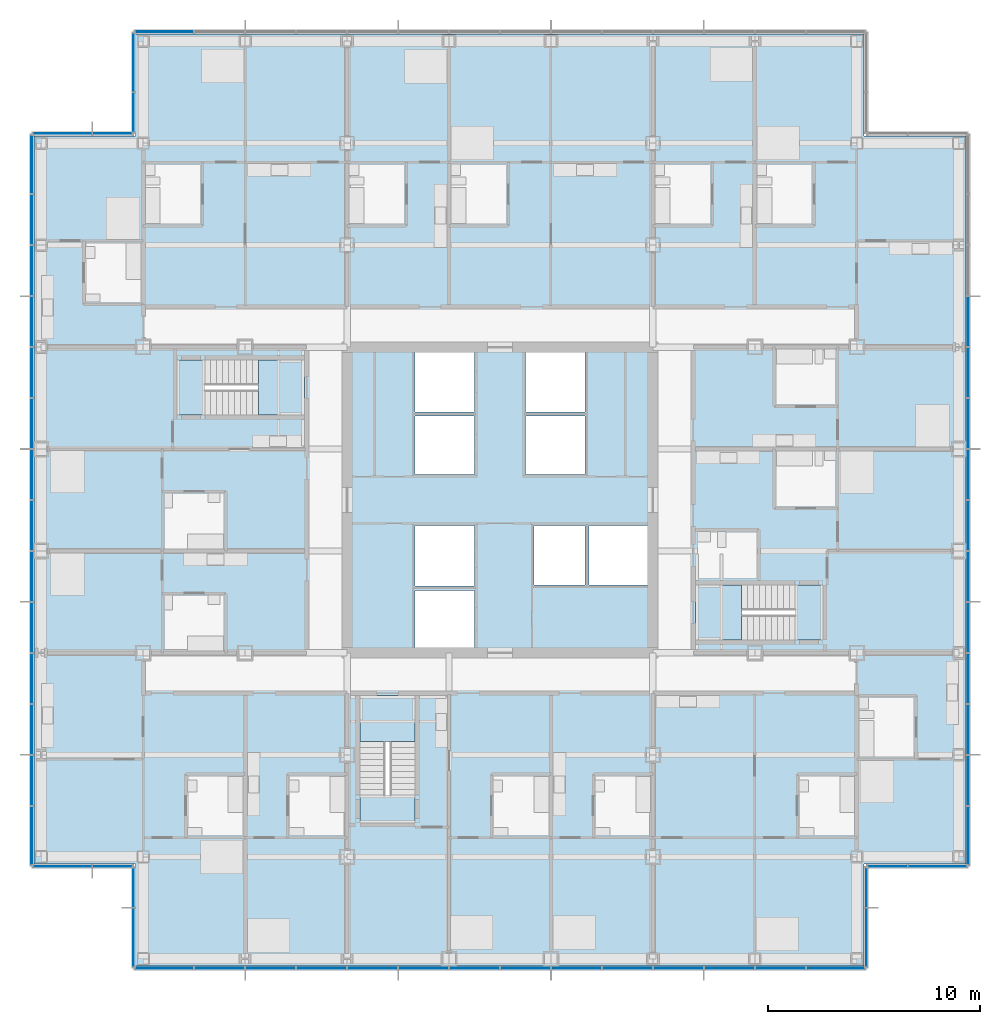
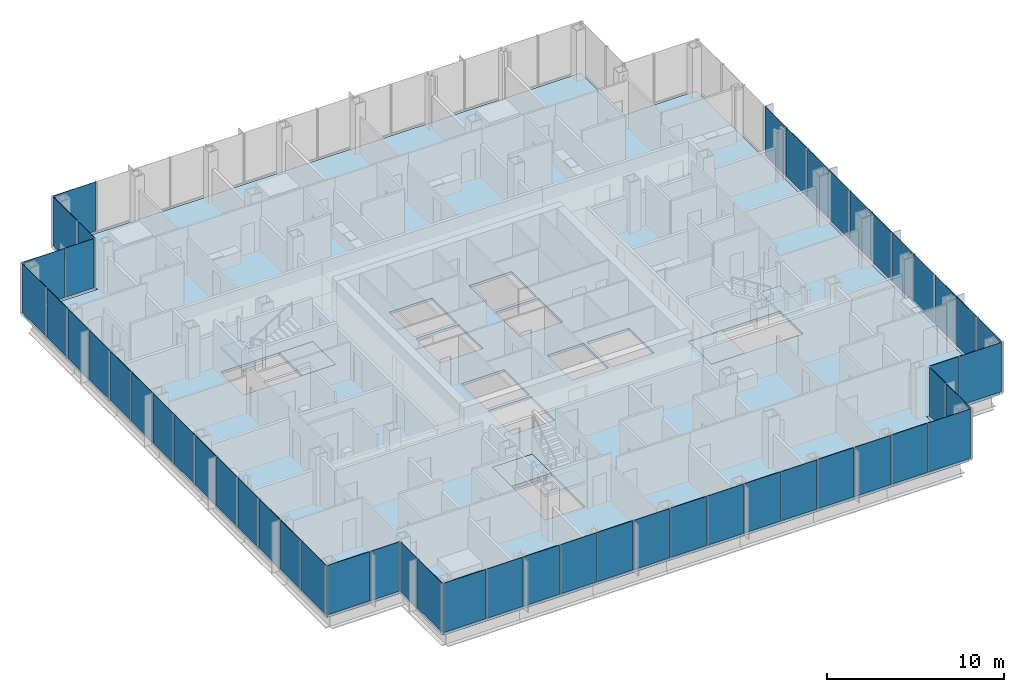
# One storey, part 12 of 21: 52 plates, 7 slabs, 13 elements without a shape of their own.
"""IFC4 building model written with IfcOpenShell, lengths in metres."""

import ifcopenshell
import ifcopenshell.guid

model = None  # the IFC model being written
_history = None  # IfcOwnerHistory: only IFC2X3 demands one
_inside = {}  # id of a spatial element -> (the spatial element, [elements in it])
_under = {}  # id of a project, library or spatial element -> (it, [spatial elements below it])
_declared = {}  # id of a project -> (the project, [libraries it declares])
_typed = {}  # id of a type object -> (the type object, [elements of that type])
_made_of = {}  # id of a material, layer set ... -> (it, [elements and type objects made of it])


def new_model(schema):
    """Start an empty IFC model of exactly this schema.

    Asked for "IFC4X3", IfcOpenShell would pick the latest addendum, in which some entities
    have other attributes; the version numbers below select the first issue.
    IFC2X3 requires an IfcOwnerHistory on every rooted entity: one is made here for all.
    """
    global model, _history
    if schema == "IFC4X3":
        model = ifcopenshell.file(schema_version=(4, 3, 0, 0))
    else:
        model = ifcopenshell.file(schema=schema)
    _inside.clear()
    _under.clear()
    _declared.clear()
    _typed.clear()
    _made_of.clear()
    _history = None
    if model.schema == "IFC2X3":
        org = make("IfcOrganization", Name="unknown")
        user = make(
            "IfcPersonAndOrganization",
            ThePerson=make("IfcPerson", FamilyName="unknown"),
            TheOrganization=org,
        )
        app = make(
            "IfcApplication",
            ApplicationDeveloper=org,
            Version="unknown",
            ApplicationFullName="unknown",
            ApplicationIdentifier="unknown",
        )
        _history = make(
            "IfcOwnerHistory",
            OwningUser=user,
            OwningApplication=app,
            ChangeAction="ADDED",
            CreationDate=0,
        )
    return model


def make(cls, **values):
    """One entity of the class cls with the attributes given. An attribute that is None is left unset."""
    return model.create_entity(
        cls, **{name: value for name, value in values.items() if value is not None}
    )


def rooted(cls, **values):
    """An entity with a GlobalId (a new one), such as an element, a storey or a relation."""
    return make(cls, GlobalId=ifcopenshell.guid.new(), OwnerHistory=_history, **values)


def si_unit(unit_type, name, prefix=None):
    """IfcSIUnit, for example si_unit("LENGTHUNIT", "METRE", prefix="MILLI")."""
    return make("IfcSIUnit", UnitType=unit_type, Prefix=prefix, Name=name)


def assignment(units):
    """IfcUnitAssignment: the units of a project."""
    return None if units is None else make("IfcUnitAssignment", Units=units)


def point(xyz):
    """IfcCartesianPoint."""
    return None if xyz is None else make("IfcCartesianPoint", Coordinates=xyz)


def direction(xyz):
    """IfcDirection."""
    return None if xyz is None else make("IfcDirection", DirectionRatios=xyz)


def frame(location, z_axis=None, x_axis=None):
    """IfcAxis2Placement3D, a coordinate frame: its origin and axes. An axis left out is left unset."""
    return make(
        "IfcAxis2Placement3D",
        Location=point(location),
        Axis=direction(z_axis),
        RefDirection=direction(x_axis),
    )


def frame_2d(location, x_axis=None):
    """IfcAxis2Placement2D, a coordinate frame in the plane: its origin and x axis."""
    return make(
        "IfcAxis2Placement2D", Location=point(location), RefDirection=direction(x_axis)
    )


def origin():
    """The frame at (0, 0, 0) with its axes left unset."""
    return frame((0.0, 0.0, 0.0))


def origin_2d():
    """The frame at (0, 0) in the plane with its x axis left unset."""
    return frame_2d((0.0, 0.0))


def place(relative_to, where):
    """IfcLocalPlacement: puts the frame where relative to a parent placement (None: the world)."""
    return make(
        "IfcLocalPlacement", PlacementRelTo=relative_to, RelativePlacement=where
    )


def context(
    kind, dimensions, precision=None, world=None, true_north=None, identifier=None
):
    """IfcGeometricRepresentationContext, for example the 3D "Model" context."""
    return make(
        "IfcGeometricRepresentationContext",
        ContextIdentifier=identifier,
        ContextType=kind,
        CoordinateSpaceDimension=dimensions,
        Precision=precision,
        WorldCoordinateSystem=world,
        TrueNorth=true_north,
    )


def subcontext(parent, identifier, kind, view, scale=None):
    """IfcGeometricRepresentationSubContext, for example "Body" below "Model"."""
    return make(
        "IfcGeometricRepresentationSubContext",
        ContextIdentifier=identifier,
        ContextType=kind,
        ParentContext=parent,
        TargetScale=scale,
        TargetView=view,
    )


def project(units=None, contexts=None):
    """IfcProject with its units and contexts."""
    return rooted(
        "IfcProject",
        Name="project",
        RepresentationContexts=contexts,
        UnitsInContext=assignment(units),
    )


def spatial(cls, under=None, at=None, **own):
    """A site, building, storey or space (cls), placed at a placement, below another one or the project."""
    s = rooted(cls, ObjectPlacement=at, **own)
    if under is not None:
        _under.setdefault(under.id(), (under, []))[1].append(s)
    return s


def polyline(points):
    """IfcPolyline through the points."""
    return make("IfcPolyline", Points=[point(p) for p in points])


def profile(cls, at=None, kind="AREA", **sizes):
    """A parametric profile (cls). Its sizes go by their IFC names, for example OverallWidth=200.0."""
    return make(cls, ProfileType=kind, Position=at, **sizes)


def rectangle(**sizes):
    """IfcRectangleProfileDef."""
    return profile("IfcRectangleProfileDef", **sizes)


def outline(outer, holes=None, kind="AREA"):
    """IfcArbitraryClosedProfileDef: a profile drawn as a closed curve; with holes, ...WithVoids."""
    if holes is None:
        return make("IfcArbitraryClosedProfileDef", ProfileType=kind, OuterCurve=outer)
    return make(
        "IfcArbitraryProfileDefWithVoids",
        ProfileType=kind,
        OuterCurve=outer,
        InnerCurves=holes,
    )


def extrude(swept, where, along, depth):
    """IfcExtrudedAreaSolid: the profile swept, set in the frame where, extruded along a direction by depth."""
    return make(
        "IfcExtrudedAreaSolid",
        SweptArea=swept,
        Position=where,
        ExtrudedDirection=direction(along),
        Depth=depth,
    )


def shape(context_of_items, identifier, shape_type, items):
    """IfcShapeRepresentation: the items that make up one representation, for example the "Body"."""
    return make(
        "IfcShapeRepresentation",
        ContextOfItems=context_of_items,
        RepresentationIdentifier=identifier,
        RepresentationType=shape_type,
        Items=items,
    )


def material(Name=None, Category=None):
    """IfcMaterial."""
    return make("IfcMaterial", Name=Name, Category=Category)


def layer(
    of_material, thickness, ventilated=None, Name=None, Category=None, Priority=None
):
    """IfcMaterialLayer: one layer of a wall or slab, of a material (None: an air gap)."""
    return make(
        "IfcMaterialLayer",
        Material=of_material,
        LayerThickness=thickness,
        IsVentilated=ventilated,
        Name=Name,
        Category=Category,
        Priority=Priority,
    )


def layer_set(layers, Name=None):
    """IfcMaterialLayerSet."""
    return make("IfcMaterialLayerSet", MaterialLayers=layers, LayerSetName=Name)


def made_of(thing, what):
    """Note that an element or type object is made of a material, layer set ...; save() writes the relation."""
    if what is not None:
        _made_of.setdefault(what.id(), (what, []))[1].append(thing)
    return thing


def type_object(cls, material=None, **own):
    """A type object (cls), such as IfcWallType, which elements share."""
    return made_of(rooted(cls, **own), material)


def element(
    cls,
    number,
    at=None,
    inside=None,
    cuts=None,
    type_object=None,
    material=None,
    context=None,
    identifier="Body",
    shape_type=None,
    held_by="IfcProductDefinitionShape",
    body=None,
    shapes=None,
    **own,
):
    """One element of the class cls, such as IfcWall. Its Tag is "e" and its number.

    at: its placement. inside: the storey or other place that contains it. cuts: it is an
    opening in that element (IfcRelVoidsElement). A single representation is given by context,
    identifier, shape_type and body (its items); several are given by shapes. held_by: the class
    of the entity that holds the representations. save() writes the other relations.
    """
    e = rooted(cls, Tag="e%d" % number, ObjectPlacement=at, **own)
    if body is not None:
        shapes = [shape(context, identifier, shape_type, body)]
    if shapes is not None:
        e.Representation = make(held_by, Representations=shapes)
    if inside is not None:
        _inside.setdefault(inside.id(), (inside, []))[1].append(e)
    if cuts is not None:
        rooted(
            "IfcRelVoidsElement", RelatingBuildingElement=cuts, RelatedOpeningElement=e
        )
    if type_object is not None:
        _typed.setdefault(type_object.id(), (type_object, []))[1].append(e)
    return made_of(e, material)


def aggregate(whole, parts):
    """IfcRelAggregates: a whole, such as a stair, and the parts it consists of."""
    return rooted("IfcRelAggregates", RelatingObject=whole, RelatedObjects=parts)


def save(model, path):
    """Write the relations noted so far, then the file.

    IfcRelAggregates (storeys below a building ...), IfcRelContainedInSpatialStructure (elements
    in a storey), IfcRelDefinesByType, IfcRelAssociatesMaterial and IfcRelDeclares: one each for
    every whole, place, type object, material and project.
    """
    for whole, parts in _under.values():
        aggregate(whole, parts)
    for where, things in _inside.values():
        rooted(
            "IfcRelContainedInSpatialStructure",
            RelatedElements=things,
            RelatingStructure=where,
        )
    for kind, things in _typed.values():
        rooted("IfcRelDefinesByType", RelatedObjects=things, RelatingType=kind)
    for what, things in _made_of.values():
        rooted("IfcRelAssociatesMaterial", RelatedObjects=things, RelatingMaterial=what)
    for by, libraries in _declared.values():
        rooted("IfcRelDeclares", RelatingContext=by, RelatedDefinitions=libraries)
    model.write(path)


model = new_model("IFC4")

# Units and contexts
model_context = context("Model", 3, precision=1e-05, world=origin(), true_north=direction((0.0, 1.0)))
body_context = subcontext(model_context, "Body", "Model", "MODEL_VIEW")
ifc_project = project(units=[si_unit("LENGTHUNIT", "METRE"), si_unit("AREAUNIT", "SQUARE_METRE"), si_unit("VOLUMEUNIT", "CUBIC_METRE"), si_unit("PLANEANGLEUNIT", "RADIAN"), si_unit("MASSUNIT", "GRAM", prefix="KILO")], contexts=[model_context])

# Site, building, storey
site_placement = place(None, origin())
site = spatial("IfcSite", under=ifc_project, at=site_placement, CompositionType="ELEMENT")
building_placement = place(site_placement, origin())
building = spatial("IfcBuilding", under=site, at=building_placement, Name="Kvirike Care Tower", CompositionType="ELEMENT")
storey_placement = place(building_placement, frame((0.0, 0.0, 34.0)))
storey = spatial("IfcBuildingStorey", under=building, at=storey_placement, Name="L08", CompositionType="ELEMENT", Elevation=34.0)

# Slab
ifc_material_1 = material(Name="Concrete C35/45", Category="concrete")
ifc_layer_1 = layer(ifc_material_1, 0.169921875)
ifc_layer_set_1 = layer_set([ifc_layer_1], Name="FLOOR SLAB 170")
slab_type_1 = type_object("IfcSlabType", Name="FLOOR SLAB 170", PredefinedType="FLOOR", material=ifc_layer_set_1)
slab_1_placement = place(storey_placement, frame((0.0, 0.0, -0.169921875)))
element("IfcSlab", 1, at=slab_1_placement, inside=storey, type_object=slab_type_1, Name="Floor slab L08", PredefinedType="FLOOR", context=body_context, shape_type="SweptSolid", body=[
    extrude(outline(polyline([(-0.35009765625, 53.14990234375), (-0.35009765625, 18.85009765625), (4.449951171875, 18.85009765625), (4.449951171875, 14.050048828125), (38.75, 14.050048828125), (38.75, 18.85009765625), (43.550048828125, 18.85009765625), (43.550048828125, 53.14990234375), (38.75, 53.14990234375), (38.75, 57.949951171875), (4.449951171875, 57.949951171875), (4.449951171875, 53.14990234375), (-0.35009765625, 53.14990234375)]), holes=[polyline([(17.60009765625, 29.050048828125), (17.60009765625, 31.75), (20.39990234375, 31.75), (20.39990234375, 29.050048828125), (17.60009765625, 29.050048828125)]), polyline([(17.60009765625, 31.949951171875), (17.60009765625, 34.800048828125), (20.39990234375, 34.800048828125), (20.39990234375, 31.949951171875), (17.60009765625, 31.949951171875)]), polyline([(17.60009765625, 37.199951171875), (17.60009765625, 39.949951171875), (20.39990234375, 39.949951171875), (20.39990234375, 37.199951171875), (17.60009765625, 37.199951171875)]), polyline([(17.60009765625, 40.14990234375), (17.60009765625, 42.949951171875), (20.39990234375, 42.949951171875), (20.39990234375, 40.14990234375), (17.60009765625, 40.14990234375)]), polyline([(22.800048828125, 37.199951171875), (22.800048828125, 39.949951171875), (25.60009765625, 39.949951171875), (25.60009765625, 37.199951171875), (22.800048828125, 37.199951171875)]), polyline([(22.800048828125, 40.14990234375), (22.800048828125, 42.949951171875), (25.60009765625, 42.949951171875), (25.60009765625, 40.14990234375), (22.800048828125, 40.14990234375)]), polyline([(23.199951171875, 32.0), (23.199951171875, 34.800048828125), (25.60009765625, 34.800048828125), (25.60009765625, 32.0), (23.199951171875, 32.0)]), polyline([(25.800048828125, 32.0), (25.800048828125, 34.800048828125), (28.550048828125, 34.800048828125), (28.550048828125, 32.0), (25.800048828125, 32.0)]), polyline([(12.39990234375, 42.60009765625), (12.39990234375, 40.0), (6.39990234375, 40.0), (6.39990234375, 42.60009765625), (12.39990234375, 42.60009765625)]), polyline([(30.800048828125, 29.39990234375), (30.800048828125, 32.0), (36.800048828125, 32.0), (36.800048828125, 29.39990234375), (30.800048828125, 29.39990234375)]), polyline([(15.0, 26.800048828125), (17.60009765625, 26.800048828125), (17.60009765625, 20.800048828125), (15.0, 20.800048828125), (15.0, 26.800048828125)])]), origin(), (0.0, 0.0, 1.0), 0.169921875),
])

# Stair, slabs
ifc_material_2 = material(Name="Concrete C35/45", Category="concrete")
stair_type = type_object("IfcStairType", Name="STAIR 20 RISERS", PredefinedType="HALF_TURN_STAIR", material=ifc_material_2)
stair_1_placement = place(storey_placement, origin())
stair_1 = element("IfcStair", 2, at=stair_1_placement, inside=storey, type_object=stair_type, Name="Stair 1 L08", PredefinedType="HALF_TURN_STAIR")
ifc_material_3 = material(Name="Concrete C35/45", Category="concrete")
ifc_layer_2 = layer(ifc_material_3, 0.199951171875)
ifc_layer_set_2 = layer_set([ifc_layer_2], Name="STAIR LANDING 200")
slab_type_2 = type_object("IfcSlabType", Name="STAIR LANDING 200", PredefinedType="LANDING", material=ifc_layer_set_2)
slab_2_placement = place(storey_placement, frame((0.0, 0.0, -0.199951171875)))
slab_2 = element("IfcSlab", 3, at=slab_2_placement, type_object=slab_type_2, Name="Stair S1 floor landing L08", PredefinedType="LANDING", context=body_context, shape_type="SweptSolid", body=[
    extrude(outline(polyline([(10.219970703125, 42.60009765625), (10.219970703125, 40.0), (12.39990234375, 40.0), (12.39990234375, 42.60009765625), (10.219970703125, 42.60009765625)])), origin(), (0.0, 0.0, 1.0), 0.199951171875),
])
slab_3_placement = place(storey_placement, frame((0.0, 0.0, 1.550048828125)))
slab_3 = element("IfcSlab", 4, at=slab_3_placement, type_object=slab_type_2, Name="Stair S1 half landing L08-L09", PredefinedType="LANDING", context=body_context, shape_type="SweptSolid", body=[
    extrude(outline(polyline([(6.39990234375, 42.60009765625), (6.39990234375, 40.0), (7.699951171875, 40.0), (7.699951171875, 42.60009765625), (6.39990234375, 42.60009765625)])), origin(), (0.0, 0.0, 1.0), 0.199951171875),
])
aggregate(stair_1, [slab_2, slab_3])

stair_2_placement = place(storey_placement, origin())
stair_2 = element("IfcStair", 5, at=stair_2_placement, inside=storey, type_object=stair_type, Name="Stair 2 L08", PredefinedType="HALF_TURN_STAIR")
slab_4_placement = place(storey_placement, frame((0.0, 0.0, -0.199951171875)))
slab_4 = element("IfcSlab", 6, at=slab_4_placement, type_object=slab_type_2, Name="Stair S2 floor landing L08", PredefinedType="LANDING", context=body_context, shape_type="SweptSolid", body=[
    extrude(outline(polyline([(32.97998046875, 29.39990234375), (32.97998046875, 32.0), (30.800048828125, 32.0), (30.800048828125, 29.39990234375), (32.97998046875, 29.39990234375)])), origin(), (0.0, 0.0, 1.0), 0.199951171875),
])
slab_5_placement = place(storey_placement, frame((0.0, 0.0, 1.550048828125)))
slab_5 = element("IfcSlab", 7, at=slab_5_placement, type_object=slab_type_2, Name="Stair S2 half landing L08-L09", PredefinedType="LANDING", context=body_context, shape_type="SweptSolid", body=[
    extrude(outline(polyline([(36.800048828125, 29.39990234375), (36.800048828125, 32.0), (35.5, 32.0), (35.5, 29.39990234375), (36.800048828125, 29.39990234375)])), origin(), (0.0, 0.0, 1.0), 0.199951171875),
])
aggregate(stair_2, [slab_4, slab_5])

stair_3_placement = place(storey_placement, origin())
stair_3 = element("IfcStair", 8, at=stair_3_placement, inside=storey, type_object=stair_type, Name="Stair 5 L08", PredefinedType="HALF_TURN_STAIR")
slab_6_placement = place(storey_placement, frame((0.0, 0.0, -0.199951171875)))
slab_6 = element("IfcSlab", 9, at=slab_6_placement, type_object=slab_type_2, Name="Stair S5 floor landing L08", PredefinedType="LANDING", context=body_context, shape_type="SweptSolid", body=[
    extrude(outline(polyline([(15.0, 24.6201171875), (17.60009765625, 24.6201171875), (17.60009765625, 26.800048828125), (15.0, 26.800048828125), (15.0, 24.6201171875)])), origin(), (0.0, 0.0, 1.0), 0.199951171875),
])
slab_7_placement = place(storey_placement, frame((0.0, 0.0, 1.550048828125)))
slab_7 = element("IfcSlab", 10, at=slab_7_placement, type_object=slab_type_2, Name="Stair S5 half landing L08-L09", PredefinedType="LANDING", context=body_context, shape_type="SweptSolid", body=[
    extrude(outline(polyline([(15.0, 20.800048828125), (17.60009765625, 20.800048828125), (17.60009765625, 22.10009765625), (15.0, 22.10009765625), (15.0, 20.800048828125)])), origin(), (0.0, 0.0, 1.0), 0.199951171875),
])
aggregate(stair_3, [slab_6, slab_7])

# Curtain wall, plates
ifc_material_4 = material(Name="Anodised aluminium stick system", Category="aluminium")
curtain_wall_type = type_object("IfcCurtainWallType", Name="CW-A STICK CURTAIN WALL", PredefinedType="NOTDEFINED", material=ifc_material_4)
curtain_wall_1_placement = place(storey_placement, origin())
curtain_wall_1 = element("IfcCurtainWall", 11, at=curtain_wall_1_placement, inside=storey, type_object=curtain_wall_type, Name="Curtain wall L08 face 1", PredefinedType="NOTDEFINED")
ifc_material_5 = material(Name="Tinted double glazed unit", Category="glass")
ifc_layer_3 = layer(ifc_material_5, 0.031982421875)
ifc_layer_set_3 = layer_set([ifc_layer_3], Name="TINTED VISION PANEL 32")
plate_type = type_object("IfcPlateType", Name="TINTED VISION PANEL 32", PredefinedType="CURTAIN_PANEL", material=ifc_layer_set_3)
plate_1_placement = place(storey_placement, frame((-0.449951171875, 51.808837890625, 0.10009765625), z_axis=(0.0, 0.0, 1.0), x_axis=(0.0, -1.0, 0.0)))
plate_1 = element("IfcPlate", 12, at=plate_1_placement, type_object=plate_type, Name="CW-A panel L08 face 1.1", PredefinedType="CURTAIN_PANEL", context=body_context, shape_type="SweptSolid", body=[
    extrude(rectangle(XDim=2.75244140625, YDim=0.031982421875, at=origin_2d()), origin(), (0.0, 0.0, 1.0), 3.39990234375),
])
plate_2_placement = place(storey_placement, frame((-0.449951171875, 49.199951171875, 0.10009765625), z_axis=(0.0, 0.0, 1.0), x_axis=(0.0, -1.0, 0.0)))
plate_2 = element("IfcPlate", 13, at=plate_2_placement, type_object=plate_type, Name="CW-A panel L08 face 1.2", PredefinedType="CURTAIN_PANEL", context=body_context, shape_type="SweptSolid", body=[
    extrude(rectangle(XDim=2.3349609375, YDim=0.031982421875, at=origin_2d()), origin(), (0.0, 0.0, 1.0), 3.39990234375),
])
plate_3_placement = place(storey_placement, frame((-0.449951171875, 46.800048828125, 0.10009765625), z_axis=(0.0, 0.0, 1.0), x_axis=(0.0, -1.0, 0.0)))
plate_3 = element("IfcPlate", 14, at=plate_3_placement, type_object=plate_type, Name="CW-A panel L08 face 1.3", PredefinedType="CURTAIN_PANEL", context=body_context, shape_type="SweptSolid", body=[
    extrude(rectangle(XDim=2.3349609375, YDim=0.031982421875, at=origin_2d()), origin(), (0.0, 0.0, 1.0), 3.39990234375),
])
plate_4_placement = place(storey_placement, frame((-0.449951171875, 44.39990234375, 0.10009765625), z_axis=(0.0, 0.0, 1.0), x_axis=(0.0, -1.0, 0.0)))
plate_4 = element("IfcPlate", 15, at=plate_4_placement, type_object=plate_type, Name="CW-A panel L08 face 1.4", PredefinedType="CURTAIN_PANEL", context=body_context, shape_type="SweptSolid", body=[
    extrude(rectangle(XDim=2.3349609375, YDim=0.031982421875, at=origin_2d()), origin(), (0.0, 0.0, 1.0), 3.39990234375),
])
plate_5_placement = place(storey_placement, frame((-0.449951171875, 42.0, 0.10009765625), z_axis=(0.0, 0.0, 1.0), x_axis=(0.0, -1.0, 0.0)))
plate_5 = element("IfcPlate", 16, at=plate_5_placement, type_object=plate_type, Name="CW-A panel L08 face 1.5", PredefinedType="CURTAIN_PANEL", context=body_context, shape_type="SweptSolid", body=[
    extrude(rectangle(XDim=2.3349609375, YDim=0.031982421875, at=origin_2d()), origin(), (0.0, 0.0, 1.0), 3.39990234375),
])
plate_6_placement = place(storey_placement, frame((-0.449951171875, 39.60009765625, 0.10009765625), z_axis=(0.0, 0.0, 1.0), x_axis=(0.0, -1.0, 0.0)))
plate_6 = element("IfcPlate", 17, at=plate_6_placement, type_object=plate_type, Name="CW-A panel L08 face 1.6", PredefinedType="CURTAIN_PANEL", context=body_context, shape_type="SweptSolid", body=[
    extrude(rectangle(XDim=2.3349609375, YDim=0.031982421875, at=origin_2d()), origin(), (0.0, 0.0, 1.0), 3.39990234375),
])
plate_7_placement = place(storey_placement, frame((-0.449951171875, 37.199951171875, 0.10009765625), z_axis=(0.0, 0.0, 1.0), x_axis=(0.0, -1.0, 0.0)))
plate_7 = element("IfcPlate", 18, at=plate_7_placement, type_object=plate_type, Name="CW-A panel L08 face 1.7", PredefinedType="CURTAIN_PANEL", context=body_context, shape_type="SweptSolid", body=[
    extrude(rectangle(XDim=2.3349609375, YDim=0.031982421875, at=origin_2d()), origin(), (0.0, 0.0, 1.0), 3.39990234375),
])
plate_8_placement = place(storey_placement, frame((-0.449951171875, 34.800048828125, 0.10009765625), z_axis=(0.0, 0.0, 1.0), x_axis=(0.0, -1.0, 0.0)))
plate_8 = element("IfcPlate", 19, at=plate_8_placement, type_object=plate_type, Name="CW-A panel L08 face 1.8", PredefinedType="CURTAIN_PANEL", context=body_context, shape_type="SweptSolid", body=[
    extrude(rectangle(XDim=2.3349609375, YDim=0.031982421875, at=origin_2d()), origin(), (0.0, 0.0, 1.0), 3.39990234375),
])
plate_9_placement = place(storey_placement, frame((-0.449951171875, 32.39990234375, 0.10009765625), z_axis=(0.0, 0.0, 1.0), x_axis=(0.0, -1.0, 0.0)))
plate_9 = element("IfcPlate", 20, at=plate_9_placement, type_object=plate_type, Name="CW-A panel L08 face 1.9", PredefinedType="CURTAIN_PANEL", context=body_context, shape_type="SweptSolid", body=[
    extrude(rectangle(XDim=2.3349609375, YDim=0.031982421875, at=origin_2d()), origin(), (0.0, 0.0, 1.0), 3.39990234375),
])
plate_10_placement = place(storey_placement, frame((-0.449951171875, 30.0, 0.10009765625), z_axis=(0.0, 0.0, 1.0), x_axis=(0.0, -1.0, 0.0)))
plate_10 = element("IfcPlate", 21, at=plate_10_placement, type_object=plate_type, Name="CW-A panel L08 face 1.10", PredefinedType="CURTAIN_PANEL", context=body_context, shape_type="SweptSolid", body=[
    extrude(rectangle(XDim=2.3349609375, YDim=0.031982421875, at=origin_2d()), origin(), (0.0, 0.0, 1.0), 3.39990234375),
])
plate_11_placement = place(storey_placement, frame((-0.449951171875, 27.60009765625, 0.10009765625), z_axis=(0.0, 0.0, 1.0), x_axis=(0.0, -1.0, 0.0)))
plate_11 = element("IfcPlate", 22, at=plate_11_placement, type_object=plate_type, Name="CW-A panel L08 face 1.11", PredefinedType="CURTAIN_PANEL", context=body_context, shape_type="SweptSolid", body=[
    extrude(rectangle(XDim=2.3349609375, YDim=0.031982421875, at=origin_2d()), origin(), (0.0, 0.0, 1.0), 3.39990234375),
])
plate_12_placement = place(storey_placement, frame((-0.449951171875, 25.199951171875, 0.10009765625), z_axis=(0.0, 0.0, 1.0), x_axis=(0.0, -1.0, 0.0)))
plate_12 = element("IfcPlate", 23, at=plate_12_placement, type_object=plate_type, Name="CW-A panel L08 face 1.12", PredefinedType="CURTAIN_PANEL", context=body_context, shape_type="SweptSolid", body=[
    extrude(rectangle(XDim=2.3349609375, YDim=0.031982421875, at=origin_2d()), origin(), (0.0, 0.0, 1.0), 3.39990234375),
])
plate_13_placement = place(storey_placement, frame((-0.449951171875, 22.800048828125, 0.10009765625), z_axis=(0.0, 0.0, 1.0), x_axis=(0.0, -1.0, 0.0)))
plate_13 = element("IfcPlate", 24, at=plate_13_placement, type_object=plate_type, Name="CW-A panel L08 face 1.13", PredefinedType="CURTAIN_PANEL", context=body_context, shape_type="SweptSolid", body=[
    extrude(rectangle(XDim=2.3349609375, YDim=0.031982421875, at=origin_2d()), origin(), (0.0, 0.0, 1.0), 3.39990234375),
])
plate_14_placement = place(storey_placement, frame((-0.449951171875, 20.191162109375, 0.10009765625), z_axis=(0.0, 0.0, 1.0), x_axis=(0.0, -1.0, 0.0)))
plate_14 = element("IfcPlate", 25, at=plate_14_placement, type_object=plate_type, Name="CW-A panel L08 face 1.14", PredefinedType="CURTAIN_PANEL", context=body_context, shape_type="SweptSolid", body=[
    extrude(rectangle(XDim=2.75244140625, YDim=0.031982421875, at=origin_2d()), origin(), (0.0, 0.0, 1.0), 3.39990234375),
])
aggregate(curtain_wall_1, [plate_1, plate_2, plate_3, plate_4, plate_5, plate_6, plate_7, plate_8, plate_9, plate_10, plate_11, plate_12, plate_13, plate_14])

curtain_wall_2_placement = place(storey_placement, origin())
curtain_wall_2 = element("IfcCurtainWall", 26, at=curtain_wall_2_placement, inside=storey, type_object=curtain_wall_type, Name="Curtain wall L08 face 2", PredefinedType="NOTDEFINED")
plate_15_placement = place(storey_placement, frame((0.9912109375, 18.75, 0.10009765625), z_axis=(0.0, 0.0, 1.0), x_axis=(1.0, 0.0, 0.0)))
plate_15 = element("IfcPlate", 27, at=plate_15_placement, type_object=plate_type, Name="CW-A panel L08 face 2.1", PredefinedType="CURTAIN_PANEL", context=body_context, shape_type="SweptSolid", body=[
    extrude(rectangle(XDim=2.75244140625, YDim=0.031982421875, at=origin_2d()), origin(), (0.0, 0.0, 1.0), 3.39990234375),
])
plate_16_placement = place(storey_placement, frame((3.358642578125, 18.75, 0.10009765625), z_axis=(0.0, 0.0, 1.0), x_axis=(1.0, 0.0, 0.0)))
plate_16 = element("IfcPlate", 28, at=plate_16_placement, type_object=plate_type, Name="CW-A panel L08 face 2.2", PredefinedType="CURTAIN_PANEL", context=body_context, shape_type="SweptSolid", body=[
    extrude(rectangle(XDim=1.8525390625, YDim=0.031982421875, at=origin_2d()), origin(), (0.0, 0.0, 1.0), 3.39990234375),
])
aggregate(curtain_wall_2, [plate_15, plate_16])

curtain_wall_3_placement = place(storey_placement, origin())
curtain_wall_3 = element("IfcCurtainWall", 29, at=curtain_wall_3_placement, inside=storey, type_object=curtain_wall_type, Name="Curtain wall L08 face 3", PredefinedType="NOTDEFINED")
plate_17_placement = place(storey_placement, frame((4.35009765625, 17.7587890625, 0.10009765625), z_axis=(0.0, 0.0, 1.0), x_axis=(0.0, -1.0, 0.0)))
plate_17 = element("IfcPlate", 30, at=plate_17_placement, type_object=plate_type, Name="CW-A panel L08 face 3.1", PredefinedType="CURTAIN_PANEL", context=body_context, shape_type="SweptSolid", body=[
    extrude(rectangle(XDim=1.8525390625, YDim=0.031982421875, at=origin_2d()), origin(), (0.0, 0.0, 1.0), 3.39990234375),
])
plate_18_placement = place(storey_placement, frame((4.35009765625, 15.391357421875, 0.10009765625), z_axis=(0.0, 0.0, 1.0), x_axis=(0.0, -1.0, 0.0)))
plate_18 = element("IfcPlate", 31, at=plate_18_placement, type_object=plate_type, Name="CW-A panel L08 face 3.2", PredefinedType="CURTAIN_PANEL", context=body_context, shape_type="SweptSolid", body=[
    extrude(rectangle(XDim=2.75244140625, YDim=0.031982421875, at=origin_2d()), origin(), (0.0, 0.0, 1.0), 3.39990234375),
])
aggregate(curtain_wall_3, [plate_17, plate_18])

curtain_wall_4_placement = place(storey_placement, origin())
curtain_wall_4 = element("IfcCurtainWall", 32, at=curtain_wall_4_placement, inside=storey, type_object=curtain_wall_type, Name="Curtain wall L08 face 4", PredefinedType="NOTDEFINED")
plate_19_placement = place(storey_placement, frame((5.791259765625, 13.949951171875, 0.10009765625), z_axis=(0.0, 0.0, 1.0), x_axis=(1.0, 0.0, 0.0)))
plate_19 = element("IfcPlate", 33, at=plate_19_placement, type_object=plate_type, Name="CW-A panel L08 face 4.1", PredefinedType="CURTAIN_PANEL", context=body_context, shape_type="SweptSolid", body=[
    extrude(rectangle(XDim=2.75244140625, YDim=0.031982421875, at=origin_2d()), origin(), (0.0, 0.0, 1.0), 3.39990234375),
])
plate_20_placement = place(storey_placement, frame((8.39990234375, 13.949951171875, 0.10009765625), z_axis=(0.0, 0.0, 1.0), x_axis=(1.0, 0.0, 0.0)))
plate_20 = element("IfcPlate", 34, at=plate_20_placement, type_object=plate_type, Name="CW-A panel L08 face 4.2", PredefinedType="CURTAIN_PANEL", context=body_context, shape_type="SweptSolid", body=[
    extrude(rectangle(XDim=2.3349609375, YDim=0.031982421875, at=origin_2d()), origin(), (0.0, 0.0, 1.0), 3.39990234375),
])
plate_21_placement = place(storey_placement, frame((10.800048828125, 13.949951171875, 0.10009765625), z_axis=(0.0, 0.0, 1.0), x_axis=(1.0, 0.0, 0.0)))
plate_21 = element("IfcPlate", 35, at=plate_21_placement, type_object=plate_type, Name="CW-A panel L08 face 4.3", PredefinedType="CURTAIN_PANEL", context=body_context, shape_type="SweptSolid", body=[
    extrude(rectangle(XDim=2.3349609375, YDim=0.031982421875, at=origin_2d()), origin(), (0.0, 0.0, 1.0), 3.39990234375),
])
plate_22_placement = place(storey_placement, frame((13.199951171875, 13.949951171875, 0.10009765625), z_axis=(0.0, 0.0, 1.0), x_axis=(1.0, 0.0, 0.0)))
plate_22 = element("IfcPlate", 36, at=plate_22_placement, type_object=plate_type, Name="CW-A panel L08 face 4.4", PredefinedType="CURTAIN_PANEL", context=body_context, shape_type="SweptSolid", body=[
    extrude(rectangle(XDim=2.3349609375, YDim=0.031982421875, at=origin_2d()), origin(), (0.0, 0.0, 1.0), 3.39990234375),
])
plate_23_placement = place(storey_placement, frame((15.60009765625, 13.949951171875, 0.10009765625), z_axis=(0.0, 0.0, 1.0), x_axis=(1.0, 0.0, 0.0)))
plate_23 = element("IfcPlate", 37, at=plate_23_placement, type_object=plate_type, Name="CW-A panel L08 face 4.5", PredefinedType="CURTAIN_PANEL", context=body_context, shape_type="SweptSolid", body=[
    extrude(rectangle(XDim=2.3349609375, YDim=0.031982421875, at=origin_2d()), origin(), (0.0, 0.0, 1.0), 3.39990234375),
])
plate_24_placement = place(storey_placement, frame((18.0, 13.949951171875, 0.10009765625), z_axis=(0.0, 0.0, 1.0), x_axis=(1.0, 0.0, 0.0)))
plate_24 = element("IfcPlate", 38, at=plate_24_placement, type_object=plate_type, Name="CW-A panel L08 face 4.6", PredefinedType="CURTAIN_PANEL", context=body_context, shape_type="SweptSolid", body=[
    extrude(rectangle(XDim=2.3349609375, YDim=0.031982421875, at=origin_2d()), origin(), (0.0, 0.0, 1.0), 3.39990234375),
])
plate_25_placement = place(storey_placement, frame((20.39990234375, 13.949951171875, 0.10009765625), z_axis=(0.0, 0.0, 1.0), x_axis=(1.0, 0.0, 0.0)))
plate_25 = element("IfcPlate", 39, at=plate_25_placement, type_object=plate_type, Name="CW-A panel L08 face 4.7", PredefinedType="CURTAIN_PANEL", context=body_context, shape_type="SweptSolid", body=[
    extrude(rectangle(XDim=2.3349609375, YDim=0.031982421875, at=origin_2d()), origin(), (0.0, 0.0, 1.0), 3.39990234375),
])
plate_26_placement = place(storey_placement, frame((22.800048828125, 13.949951171875, 0.10009765625), z_axis=(0.0, 0.0, 1.0), x_axis=(1.0, 0.0, 0.0)))
plate_26 = element("IfcPlate", 40, at=plate_26_placement, type_object=plate_type, Name="CW-A panel L08 face 4.8", PredefinedType="CURTAIN_PANEL", context=body_context, shape_type="SweptSolid", body=[
    extrude(rectangle(XDim=2.3349609375, YDim=0.031982421875, at=origin_2d()), origin(), (0.0, 0.0, 1.0), 3.39990234375),
])
plate_27_placement = place(storey_placement, frame((25.199951171875, 13.949951171875, 0.10009765625), z_axis=(0.0, 0.0, 1.0), x_axis=(1.0, 0.0, 0.0)))
plate_27 = element("IfcPlate", 41, at=plate_27_placement, type_object=plate_type, Name="CW-A panel L08 face 4.9", PredefinedType="CURTAIN_PANEL", context=body_context, shape_type="SweptSolid", body=[
    extrude(rectangle(XDim=2.3349609375, YDim=0.031982421875, at=origin_2d()), origin(), (0.0, 0.0, 1.0), 3.39990234375),
])
plate_28_placement = place(storey_placement, frame((27.60009765625, 13.949951171875, 0.10009765625), z_axis=(0.0, 0.0, 1.0), x_axis=(1.0, 0.0, 0.0)))
plate_28 = element("IfcPlate", 42, at=plate_28_placement, type_object=plate_type, Name="CW-A panel L08 face 4.10", PredefinedType="CURTAIN_PANEL", context=body_context, shape_type="SweptSolid", body=[
    extrude(rectangle(XDim=2.3349609375, YDim=0.031982421875, at=origin_2d()), origin(), (0.0, 0.0, 1.0), 3.39990234375),
])
plate_29_placement = place(storey_placement, frame((30.0, 13.949951171875, 0.10009765625), z_axis=(0.0, 0.0, 1.0), x_axis=(1.0, 0.0, 0.0)))
plate_29 = element("IfcPlate", 43, at=plate_29_placement, type_object=plate_type, Name="CW-A panel L08 face 4.11", PredefinedType="CURTAIN_PANEL", context=body_context, shape_type="SweptSolid", body=[
    extrude(rectangle(XDim=2.3349609375, YDim=0.031982421875, at=origin_2d()), origin(), (0.0, 0.0, 1.0), 3.39990234375),
])
plate_30_placement = place(storey_placement, frame((32.39990234375, 13.949951171875, 0.10009765625), z_axis=(0.0, 0.0, 1.0), x_axis=(1.0, 0.0, 0.0)))
plate_30 = element("IfcPlate", 44, at=plate_30_placement, type_object=plate_type, Name="CW-A panel L08 face 4.12", PredefinedType="CURTAIN_PANEL", context=body_context, shape_type="SweptSolid", body=[
    extrude(rectangle(XDim=2.3349609375, YDim=0.031982421875, at=origin_2d()), origin(), (0.0, 0.0, 1.0), 3.39990234375),
])
plate_31_placement = place(storey_placement, frame((34.800048828125, 13.949951171875, 0.10009765625), z_axis=(0.0, 0.0, 1.0), x_axis=(1.0, 0.0, 0.0)))
plate_31 = element("IfcPlate", 45, at=plate_31_placement, type_object=plate_type, Name="CW-A panel L08 face 4.13", PredefinedType="CURTAIN_PANEL", context=body_context, shape_type="SweptSolid", body=[
    extrude(rectangle(XDim=2.3349609375, YDim=0.031982421875, at=origin_2d()), origin(), (0.0, 0.0, 1.0), 3.39990234375),
])
plate_32_placement = place(storey_placement, frame((37.40869140625, 13.949951171875, 0.10009765625), z_axis=(0.0, 0.0, 1.0), x_axis=(1.0, 0.0, 0.0)))
plate_32 = element("IfcPlate", 46, at=plate_32_placement, type_object=plate_type, Name="CW-A panel L08 face 4.14", PredefinedType="CURTAIN_PANEL", context=body_context, shape_type="SweptSolid", body=[
    extrude(rectangle(XDim=2.75244140625, YDim=0.031982421875, at=origin_2d()), origin(), (0.0, 0.0, 1.0), 3.39990234375),
])
aggregate(curtain_wall_4, [plate_19, plate_20, plate_21, plate_22, plate_23, plate_24, plate_25, plate_26, plate_27, plate_28, plate_29, plate_30, plate_31, plate_32])

curtain_wall_5_placement = place(storey_placement, origin())
curtain_wall_5 = element("IfcCurtainWall", 47, at=curtain_wall_5_placement, inside=storey, type_object=curtain_wall_type, Name="Curtain wall L08 face 5", PredefinedType="NOTDEFINED")
plate_33_placement = place(storey_placement, frame((38.85009765625, 15.391357421875, 0.10009765625), z_axis=(0.0, 0.0, 1.0), x_axis=(0.0, 1.0, 0.0)))
plate_33 = element("IfcPlate", 48, at=plate_33_placement, type_object=plate_type, Name="CW-A panel L08 face 5.1", PredefinedType="CURTAIN_PANEL", context=body_context, shape_type="SweptSolid", body=[
    extrude(rectangle(XDim=2.75244140625, YDim=0.031982421875, at=origin_2d()), origin(), (0.0, 0.0, 1.0), 3.39990234375),
])
plate_34_placement = place(storey_placement, frame((38.85009765625, 17.7587890625, 0.10009765625), z_axis=(0.0, 0.0, 1.0), x_axis=(0.0, 1.0, 0.0)))
plate_34 = element("IfcPlate", 49, at=plate_34_placement, type_object=plate_type, Name="CW-A panel L08 face 5.2", PredefinedType="CURTAIN_PANEL", context=body_context, shape_type="SweptSolid", body=[
    extrude(rectangle(XDim=1.8525390625, YDim=0.031982421875, at=origin_2d()), origin(), (0.0, 0.0, 1.0), 3.39990234375),
])
aggregate(curtain_wall_5, [plate_33, plate_34])

curtain_wall_6_placement = place(storey_placement, origin())
curtain_wall_6 = element("IfcCurtainWall", 50, at=curtain_wall_6_placement, inside=storey, type_object=curtain_wall_type, Name="Curtain wall L08 face 6", PredefinedType="NOTDEFINED")
plate_35_placement = place(storey_placement, frame((39.84130859375, 18.75, 0.10009765625), z_axis=(0.0, 0.0, 1.0), x_axis=(1.0, 0.0, 0.0)))
plate_35 = element("IfcPlate", 51, at=plate_35_placement, type_object=plate_type, Name="CW-A panel L08 face 6.1", PredefinedType="CURTAIN_PANEL", context=body_context, shape_type="SweptSolid", body=[
    extrude(rectangle(XDim=1.8525390625, YDim=0.031982421875, at=origin_2d()), origin(), (0.0, 0.0, 1.0), 3.39990234375),
])
plate_36_placement = place(storey_placement, frame((42.208740234375, 18.75, 0.10009765625), z_axis=(0.0, 0.0, 1.0), x_axis=(1.0, 0.0, 0.0)))
plate_36 = element("IfcPlate", 52, at=plate_36_placement, type_object=plate_type, Name="CW-A panel L08 face 6.2", PredefinedType="CURTAIN_PANEL", context=body_context, shape_type="SweptSolid", body=[
    extrude(rectangle(XDim=2.75244140625, YDim=0.031982421875, at=origin_2d()), origin(), (0.0, 0.0, 1.0), 3.39990234375),
])
aggregate(curtain_wall_6, [plate_35, plate_36])

curtain_wall_7_placement = place(storey_placement, origin())
curtain_wall_7 = element("IfcCurtainWall", 53, at=curtain_wall_7_placement, inside=storey, type_object=curtain_wall_type, Name="Curtain wall L08 face 7", PredefinedType="NOTDEFINED")
plate_37_placement = place(storey_placement, frame((43.64990234375, 20.191162109375, 0.10009765625), z_axis=(0.0, 0.0, 1.0), x_axis=(0.0, 1.0, 0.0)))
plate_37 = element("IfcPlate", 54, at=plate_37_placement, type_object=plate_type, Name="CW-A panel L08 face 7.1", PredefinedType="CURTAIN_PANEL", context=body_context, shape_type="SweptSolid", body=[
    extrude(rectangle(XDim=2.75244140625, YDim=0.031982421875, at=origin_2d()), origin(), (0.0, 0.0, 1.0), 3.39990234375),
])
plate_38_placement = place(storey_placement, frame((43.64990234375, 22.800048828125, 0.10009765625), z_axis=(0.0, 0.0, 1.0), x_axis=(0.0, 1.0, 0.0)))
plate_38 = element("IfcPlate", 55, at=plate_38_placement, type_object=plate_type, Name="CW-A panel L08 face 7.2", PredefinedType="CURTAIN_PANEL", context=body_context, shape_type="SweptSolid", body=[
    extrude(rectangle(XDim=2.3349609375, YDim=0.031982421875, at=origin_2d()), origin(), (0.0, 0.0, 1.0), 3.39990234375),
])
plate_39_placement = place(storey_placement, frame((43.64990234375, 25.199951171875, 0.10009765625), z_axis=(0.0, 0.0, 1.0), x_axis=(0.0, 1.0, 0.0)))
plate_39 = element("IfcPlate", 56, at=plate_39_placement, type_object=plate_type, Name="CW-A panel L08 face 7.3", PredefinedType="CURTAIN_PANEL", context=body_context, shape_type="SweptSolid", body=[
    extrude(rectangle(XDim=2.3349609375, YDim=0.031982421875, at=origin_2d()), origin(), (0.0, 0.0, 1.0), 3.39990234375),
])
plate_40_placement = place(storey_placement, frame((43.64990234375, 27.60009765625, 0.10009765625), z_axis=(0.0, 0.0, 1.0), x_axis=(0.0, 1.0, 0.0)))
plate_40 = element("IfcPlate", 57, at=plate_40_placement, type_object=plate_type, Name="CW-A panel L08 face 7.4", PredefinedType="CURTAIN_PANEL", context=body_context, shape_type="SweptSolid", body=[
    extrude(rectangle(XDim=2.3349609375, YDim=0.031982421875, at=origin_2d()), origin(), (0.0, 0.0, 1.0), 3.39990234375),
])
plate_41_placement = place(storey_placement, frame((43.64990234375, 30.0, 0.10009765625), z_axis=(0.0, 0.0, 1.0), x_axis=(0.0, 1.0, 0.0)))
plate_41 = element("IfcPlate", 58, at=plate_41_placement, type_object=plate_type, Name="CW-A panel L08 face 7.5", PredefinedType="CURTAIN_PANEL", context=body_context, shape_type="SweptSolid", body=[
    extrude(rectangle(XDim=2.3349609375, YDim=0.031982421875, at=origin_2d()), origin(), (0.0, 0.0, 1.0), 3.39990234375),
])
plate_42_placement = place(storey_placement, frame((43.64990234375, 32.39990234375, 0.10009765625), z_axis=(0.0, 0.0, 1.0), x_axis=(0.0, 1.0, 0.0)))
plate_42 = element("IfcPlate", 59, at=plate_42_placement, type_object=plate_type, Name="CW-A panel L08 face 7.6", PredefinedType="CURTAIN_PANEL", context=body_context, shape_type="SweptSolid", body=[
    extrude(rectangle(XDim=2.3349609375, YDim=0.031982421875, at=origin_2d()), origin(), (0.0, 0.0, 1.0), 3.39990234375),
])
plate_43_placement = place(storey_placement, frame((43.64990234375, 34.800048828125, 0.10009765625), z_axis=(0.0, 0.0, 1.0), x_axis=(0.0, 1.0, 0.0)))
plate_43 = element("IfcPlate", 60, at=plate_43_placement, type_object=plate_type, Name="CW-A panel L08 face 7.7", PredefinedType="CURTAIN_PANEL", context=body_context, shape_type="SweptSolid", body=[
    extrude(rectangle(XDim=2.3349609375, YDim=0.031982421875, at=origin_2d()), origin(), (0.0, 0.0, 1.0), 3.39990234375),
])
plate_44_placement = place(storey_placement, frame((43.64990234375, 37.199951171875, 0.10009765625), z_axis=(0.0, 0.0, 1.0), x_axis=(0.0, 1.0, 0.0)))
plate_44 = element("IfcPlate", 61, at=plate_44_placement, type_object=plate_type, Name="CW-A panel L08 face 7.8", PredefinedType="CURTAIN_PANEL", context=body_context, shape_type="SweptSolid", body=[
    extrude(rectangle(XDim=2.3349609375, YDim=0.031982421875, at=origin_2d()), origin(), (0.0, 0.0, 1.0), 3.39990234375),
])
plate_45_placement = place(storey_placement, frame((43.64990234375, 39.60009765625, 0.10009765625), z_axis=(0.0, 0.0, 1.0), x_axis=(0.0, 1.0, 0.0)))
plate_45 = element("IfcPlate", 62, at=plate_45_placement, type_object=plate_type, Name="CW-A panel L08 face 7.9", PredefinedType="CURTAIN_PANEL", context=body_context, shape_type="SweptSolid", body=[
    extrude(rectangle(XDim=2.3349609375, YDim=0.031982421875, at=origin_2d()), origin(), (0.0, 0.0, 1.0), 3.39990234375),
])
plate_46_placement = place(storey_placement, frame((43.64990234375, 42.0, 0.10009765625), z_axis=(0.0, 0.0, 1.0), x_axis=(0.0, 1.0, 0.0)))
plate_46 = element("IfcPlate", 63, at=plate_46_placement, type_object=plate_type, Name="CW-A panel L08 face 7.10", PredefinedType="CURTAIN_PANEL", context=body_context, shape_type="SweptSolid", body=[
    extrude(rectangle(XDim=2.3349609375, YDim=0.031982421875, at=origin_2d()), origin(), (0.0, 0.0, 1.0), 3.39990234375),
])
plate_47_placement = place(storey_placement, frame((43.64990234375, 44.39990234375, 0.10009765625), z_axis=(0.0, 0.0, 1.0), x_axis=(0.0, 1.0, 0.0)))
plate_47 = element("IfcPlate", 64, at=plate_47_placement, type_object=plate_type, Name="CW-A panel L08 face 7.11", PredefinedType="CURTAIN_PANEL", context=body_context, shape_type="SweptSolid", body=[
    extrude(rectangle(XDim=2.3349609375, YDim=0.031982421875, at=origin_2d()), origin(), (0.0, 0.0, 1.0), 3.39990234375),
])
aggregate(curtain_wall_7, [plate_37, plate_38, plate_39, plate_40, plate_41, plate_42, plate_43, plate_44, plate_45, plate_46, plate_47])

# Curtain wall, plate
curtain_wall_8_placement = place(storey_placement, origin())
curtain_wall_8 = element("IfcCurtainWall", 65, at=curtain_wall_8_placement, inside=storey, type_object=curtain_wall_type, Name="Curtain wall L08 face 10", PredefinedType="NOTDEFINED")
plate_48_placement = place(storey_placement, frame((5.791259765625, 58.050048828125, 0.10009765625), z_axis=(0.0, 0.0, 1.0), x_axis=(-1.0, 0.0, 0.0)))
plate_48 = element("IfcPlate", 66, at=plate_48_placement, type_object=plate_type, Name="CW-A panel L08 face 10.14", PredefinedType="CURTAIN_PANEL", context=body_context, shape_type="SweptSolid", body=[
    extrude(rectangle(XDim=2.75244140625, YDim=0.031982421875, at=origin_2d()), origin(), (0.0, 0.0, 1.0), 3.39990234375),
])
aggregate(curtain_wall_8, [plate_48])

# Curtain wall, plates
curtain_wall_9_placement = place(storey_placement, origin())
curtain_wall_9 = element("IfcCurtainWall", 67, at=curtain_wall_9_placement, inside=storey, type_object=curtain_wall_type, Name="Curtain wall L08 face 11", PredefinedType="NOTDEFINED")
plate_49_placement = place(storey_placement, frame((4.35009765625, 56.608642578125, 0.10009765625), z_axis=(0.0, 0.0, 1.0), x_axis=(0.0, -1.0, 0.0)))
plate_49 = element("IfcPlate", 68, at=plate_49_placement, type_object=plate_type, Name="CW-A panel L08 face 11.1", PredefinedType="CURTAIN_PANEL", context=body_context, shape_type="SweptSolid", body=[
    extrude(rectangle(XDim=2.75244140625, YDim=0.031982421875, at=origin_2d()), origin(), (0.0, 0.0, 1.0), 3.39990234375),
])
plate_50_placement = place(storey_placement, frame((4.35009765625, 54.2412109375, 0.10009765625), z_axis=(0.0, 0.0, 1.0), x_axis=(0.0, -1.0, 0.0)))
plate_50 = element("IfcPlate", 69, at=plate_50_placement, type_object=plate_type, Name="CW-A panel L08 face 11.2", PredefinedType="CURTAIN_PANEL", context=body_context, shape_type="SweptSolid", body=[
    extrude(rectangle(XDim=1.8525390625, YDim=0.031982421875, at=origin_2d()), origin(), (0.0, 0.0, 1.0), 3.39990234375),
])
aggregate(curtain_wall_9, [plate_49, plate_50])

curtain_wall_10_placement = place(storey_placement, origin())
curtain_wall_10 = element("IfcCurtainWall", 70, at=curtain_wall_10_placement, inside=storey, type_object=curtain_wall_type, Name="Curtain wall L08 face 12", PredefinedType="NOTDEFINED")
plate_51_placement = place(storey_placement, frame((3.358642578125, 53.25, 0.10009765625), z_axis=(0.0, 0.0, 1.0), x_axis=(-1.0, 0.0, 0.0)))
plate_51 = element("IfcPlate", 71, at=plate_51_placement, type_object=plate_type, Name="CW-A panel L08 face 12.1", PredefinedType="CURTAIN_PANEL", context=body_context, shape_type="SweptSolid", body=[
    extrude(rectangle(XDim=1.8525390625, YDim=0.031982421875, at=origin_2d()), origin(), (0.0, 0.0, 1.0), 3.39990234375),
])
plate_52_placement = place(storey_placement, frame((0.9912109375, 53.25, 0.10009765625), z_axis=(0.0, 0.0, 1.0), x_axis=(-1.0, 0.0, 0.0)))
plate_52 = element("IfcPlate", 72, at=plate_52_placement, type_object=plate_type, Name="CW-A panel L08 face 12.2", PredefinedType="CURTAIN_PANEL", context=body_context, shape_type="SweptSolid", body=[
    extrude(rectangle(XDim=2.75244140625, YDim=0.031982421875, at=origin_2d()), origin(), (0.0, 0.0, 1.0), 3.39990234375),
])
aggregate(curtain_wall_10, [plate_51, plate_52])

save(model, "model.ifc")
